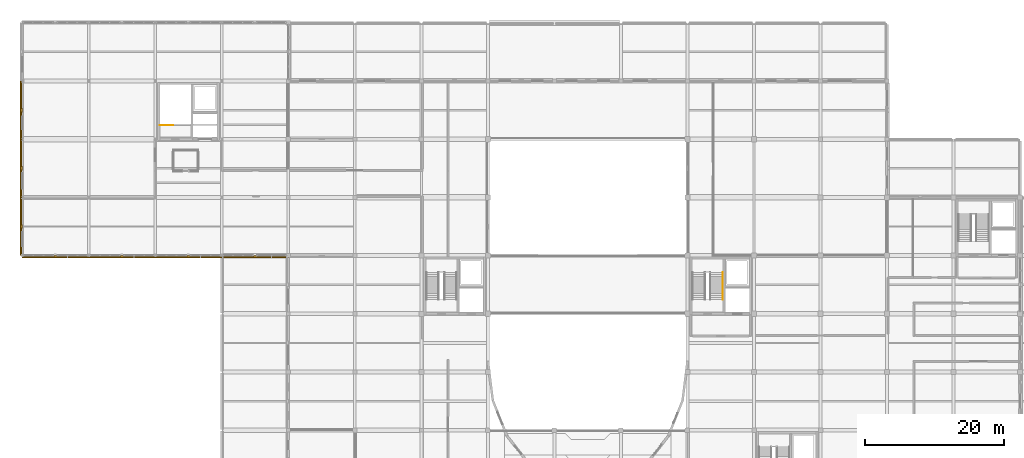
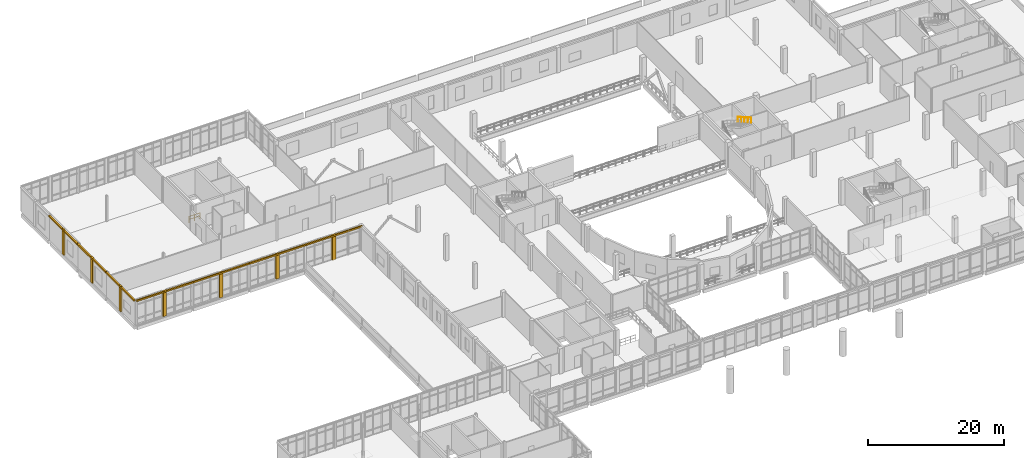
# One storey, part 85 of 88: 14 coverings, 2 railings.
"""IFC4 building model written with IfcOpenShell, lengths in metres."""

from ifc_helpers import new_model, si_unit, direction, frame, origin, origin_2d, place, context, subcontext, project, spatial, polyline, circle, outline, extrude, material, layer, layer_set, type_object, element, save


model = new_model("IFC4")

# Units and contexts
model_context = context("Model", 3, precision=1e-05, world=origin(), true_north=direction((0.0, 1.0)))
body_context = subcontext(model_context, "Body", "Model", "MODEL_VIEW")
ifc_project = project(units=[si_unit("LENGTHUNIT", "METRE"), si_unit("AREAUNIT", "SQUARE_METRE"), si_unit("VOLUMEUNIT", "CUBIC_METRE"), si_unit("PLANEANGLEUNIT", "RADIAN"), si_unit("MASSUNIT", "GRAM", prefix="KILO")], contexts=[model_context])

# Site, building, storey
site_placement = place(None, origin())
site = spatial("IfcSite", under=ifc_project, at=site_placement, CompositionType="ELEMENT")
building_placement = place(site_placement, origin())
building = spatial("IfcBuilding", under=site, at=building_placement, Name="Lornevale Opera House", CompositionType="ELEMENT")
storey_placement = place(building_placement, frame((0.0, 0.0, 10.199951171875)))
storey = spatial("IfcBuildingStorey", under=building, at=storey_placement, Name="L03", CompositionType="ELEMENT", Elevation=10.199951171875)

# Coverings
ifc_material_1 = material(Name="Precast Concrete 40 MPa (CSA A23.1 C-1)", Category="concrete")
ifc_layer_1 = layer(ifc_material_1, 0.260009765625)
ifc_layer_set_1 = layer_set([ifc_layer_1], Name="Precast Concrete 40 MPa (CSA A23.1 C-1)")
covering_type_1 = type_object("IfcCoveringType", Name="Postmodern Sandstone Pilaster Rib", PredefinedType="CLADDING", material=ifc_layer_set_1)
covering_1_placement = place(storey_placement, origin())
element("IfcCovering", 1, at=covering_1_placement, inside=storey, type_object=covering_type_1, Name="Postmodern Sandstone Mullion Pier 0259", PredefinedType="CLADDING", context=body_context, shape_type="SweptSolid", body=[
    extrude(outline(polyline([(5.080078125, 67.199951171875), (4.52001953125, 67.199951171875), (4.52001953125, 66.919921875), (5.080078125, 66.919921875), (5.080078125, 67.199951171875)])), origin(), (0.0, 0.0, 1.0), 4.5400390625),
])
covering_2_placement = place(storey_placement, origin())
element("IfcCovering", 2, at=covering_2_placement, inside=storey, type_object=covering_type_1, Name="Postmodern Sandstone Pilaster 0261", PredefinedType="CLADDING", context=body_context, shape_type="SweptSolid", body=[
    extrude(outline(polyline([(0.0, 71.1201171875), (0.0, 71.679931640625), (-0.280029296875, 71.679931640625), (-0.280029296875, 71.1201171875), (0.0, 71.1201171875)])), origin(), (0.0, 0.0, 1.0), 4.5400390625),
])
covering_3_placement = place(storey_placement, origin())
element("IfcCovering", 3, at=covering_3_placement, inside=storey, type_object=covering_type_1, Name="Postmodern Sandstone Pilaster 0263", PredefinedType="CLADDING", context=body_context, shape_type="SweptSolid", body=[
    extrude(outline(polyline([(0.0, 79.52001953125), (0.0, 80.080078125), (-0.280029296875, 80.080078125), (-0.280029296875, 79.52001953125), (0.0, 79.52001953125)])), origin(), (0.0, 0.0, 1.0), 4.5400390625),
])
covering_4_placement = place(storey_placement, origin())
element("IfcCovering", 4, at=covering_4_placement, inside=storey, type_object=covering_type_1, Name="Postmodern Sandstone Pilaster 0265", PredefinedType="CLADDING", context=body_context, shape_type="SweptSolid", body=[
    extrude(outline(polyline([(0.0, 87.919921875), (0.0, 88.47998046875), (-0.280029296875, 88.47998046875), (-0.280029296875, 87.919921875), (0.0, 87.919921875)])), origin(), (0.0, 0.0, 1.0), 4.5400390625),
])
covering_5_placement = place(storey_placement, origin())
element("IfcCovering", 5, at=covering_5_placement, inside=storey, type_object=covering_type_1, Name="Postmodern Sandstone Mullion Pier 0275", PredefinedType="CLADDING", context=body_context, shape_type="SweptSolid", body=[
    extrude(outline(polyline([(14.679931640625, 67.199951171875), (14.1201171875, 67.199951171875), (14.1201171875, 66.919921875), (14.679931640625, 66.919921875), (14.679931640625, 67.199951171875)])), origin(), (0.0, 0.0, 1.0), 4.5400390625),
])
covering_6_placement = place(storey_placement, origin())
element("IfcCovering", 6, at=covering_6_placement, inside=storey, type_object=covering_type_1, Name="Postmodern Sandstone Mullion Pier 0283", PredefinedType="CLADDING", context=body_context, shape_type="SweptSolid", body=[
    extrude(outline(polyline([(24.280029296875, 67.199951171875), (23.719970703125, 67.199951171875), (23.719970703125, 66.919921875), (24.280029296875, 66.919921875), (24.280029296875, 67.199951171875)])), origin(), (0.0, 0.0, 1.0), 4.5400390625),
])
covering_7_placement = place(storey_placement, origin())
element("IfcCovering", 7, at=covering_7_placement, inside=storey, type_object=covering_type_1, Name="Postmodern Sandstone Mullion Pier 0295", PredefinedType="CLADDING", context=body_context, shape_type="SweptSolid", body=[
    extrude(outline(polyline([(33.8798828125, 67.199951171875), (33.320068359375, 67.199951171875), (33.320068359375, 66.919921875), (33.8798828125, 66.919921875), (33.8798828125, 67.199951171875)])), origin(), (0.0, 0.0, 1.0), 4.5400390625),
])
ifc_material_2 = material(Name="Queenston Buff Limestone Ashlar Masonry (25 MPa)", Category="masonry")
ifc_layer_2 = layer(ifc_material_2, 0.1201171875)
ifc_layer_set_2 = layer_set([ifc_layer_2], Name="Queenston Buff Limestone Ashlar Masonry (25 MPa)")
covering_type_2 = type_object("IfcCoveringType", Name="Precast Limestone Cornice Band", PredefinedType="CLADDING", material=ifc_layer_set_2)
covering_8_placement = place(storey_placement, frame((0.0, 0.0, 4.280029296875)))
element("IfcCovering", 8, at=covering_8_placement, inside=storey, type_object=covering_type_2, Name="Precast Limestone Cornice Band 0260", PredefinedType="CLADDING", context=body_context, shape_type="SweptSolid", body=[
    extrude(outline(polyline([(9.60009765625, 67.1201171875), (0.0, 67.1201171875), (0.0, 66.8798828125), (9.60009765625, 66.8798828125), (9.60009765625, 67.1201171875)])), origin(), (0.0, 0.0, 1.0), 0.260009765625),
])
covering_9_placement = place(storey_placement, frame((0.0, 0.0, 4.260009765625)))
element("IfcCovering", 9, at=covering_9_placement, inside=storey, type_object=covering_type_2, Name="Precast Limestone Cornice Band 0262", PredefinedType="CLADDING", context=body_context, shape_type="SweptSolid", body=[
    extrude(outline(polyline([(-0.06005859375, 67.219970703125), (-0.06005859375, 75.580078125), (-0.320068359375, 75.580078125), (-0.320068359375, 67.219970703125), (-0.06005859375, 67.219970703125)])), origin(), (0.0, 0.0, 1.0), 0.280029296875),
])
covering_10_placement = place(storey_placement, frame((0.0, 0.0, 4.260009765625)))
element("IfcCovering", 10, at=covering_10_placement, inside=storey, type_object=covering_type_2, Name="Precast Limestone Cornice Band 0264", PredefinedType="CLADDING", context=body_context, shape_type="SweptSolid", body=[
    extrude(outline(polyline([(-0.06005859375, 75.6201171875), (-0.06005859375, 83.97998046875), (-0.320068359375, 83.97998046875), (-0.320068359375, 75.6201171875), (-0.06005859375, 75.6201171875)])), origin(), (0.0, 0.0, 1.0), 0.280029296875),
])
covering_11_placement = place(storey_placement, frame((0.0, 0.0, 4.260009765625)))
element("IfcCovering", 11, at=covering_11_placement, inside=storey, type_object=covering_type_2, Name="Precast Limestone Cornice Band 0266", PredefinedType="CLADDING", context=body_context, shape_type="SweptSolid", body=[
    extrude(outline(polyline([(-0.06005859375, 84.02001953125), (-0.06005859375, 92.3798828125), (-0.320068359375, 92.3798828125), (-0.320068359375, 84.02001953125), (-0.06005859375, 84.02001953125)])), origin(), (0.0, 0.0, 1.0), 0.280029296875),
])
covering_12_placement = place(storey_placement, frame((0.0, 0.0, 4.280029296875)))
element("IfcCovering", 12, at=covering_12_placement, inside=storey, type_object=covering_type_2, Name="Precast Limestone Cornice Band 0276", PredefinedType="CLADDING", context=body_context, shape_type="SweptSolid", body=[
    extrude(outline(polyline([(19.199951171875, 67.1201171875), (9.60009765625, 67.1201171875), (9.60009765625, 66.8798828125), (19.199951171875, 66.8798828125), (19.199951171875, 67.1201171875)])), origin(), (0.0, 0.0, 1.0), 0.260009765625),
])
covering_13_placement = place(storey_placement, frame((0.0, 0.0, 4.280029296875)))
element("IfcCovering", 13, at=covering_13_placement, inside=storey, type_object=covering_type_2, Name="Precast Limestone Cornice Band 0284", PredefinedType="CLADDING", context=body_context, shape_type="SweptSolid", body=[
    extrude(outline(polyline([(28.800048828125, 67.1201171875), (19.199951171875, 67.1201171875), (19.199951171875, 66.8798828125), (28.800048828125, 66.8798828125), (28.800048828125, 67.1201171875)])), origin(), (0.0, 0.0, 1.0), 0.260009765625),
])
covering_14_placement = place(storey_placement, frame((0.0, 0.0, 4.280029296875)))
element("IfcCovering", 14, at=covering_14_placement, inside=storey, type_object=covering_type_2, Name="Precast Limestone Cornice Band 0296", PredefinedType="CLADDING", context=body_context, shape_type="SweptSolid", body=[
    extrude(outline(polyline([(38.39990234375, 67.1201171875), (28.800048828125, 67.1201171875), (28.800048828125, 66.8798828125), (38.39990234375, 66.8798828125), (38.39990234375, 67.1201171875)])), origin(), (0.0, 0.0, 1.0), 0.260009765625),
])

# Railings
ifc_material_3 = material(Name="Structural Steel CSA G40.21 Grade 350W (350 MPa)", Category="steel")
ifc_layer_3 = layer(ifc_material_3, 0.050048828125)
ifc_layer_set_3 = layer_set([ifc_layer_3], Name="Structural Steel CSA G40.21 Grade 350W (350 MPa)")
railing_type_1 = type_object("IfcRailingType", Name="Stair Well Guardrail 1100", PredefinedType="GUARDRAIL", material=ifc_layer_set_3)
railing_1_placement = place(storey_placement, frame((19.89990234375, 86.02001953125, 0.0)))
element("IfcRailing", 15, at=railing_1_placement, inside=storey, type_object=railing_type_1, Name="ST-14 Top Floor Well Guard", PredefinedType="GUARDRAIL", context=body_context, shape_type="SweptSolid", body=[
    extrude(circle(Radius=0.02392578125, at=origin_2d()), frame((0.0, 0.0, 1.076171875), z_axis=(1.0, 0.0, 0.0), x_axis=(0.0, 1.0, 0.0)), (0.0, 0.0, 1.0), 1.880126953125),
    extrude(circle(Radius=0.02392578125, at=origin_2d()), frame((0.0, 0.0, 0.550048828125), z_axis=(1.0, 0.0, 0.0), x_axis=(0.0, 1.0, 0.0)), (0.0, 0.0, 1.0), 1.880126953125),
    extrude(circle(Radius=0.02099609375, at=origin_2d()), origin(), (0.0, 0.0, 1.0), 1.052001953125),
    extrude(circle(Radius=0.02099609375, at=origin_2d()), frame((0.93994140625, 0.0, 0.0)), (0.0, 0.0, 1.0), 1.052001953125),
    extrude(circle(Radius=0.02099609375, at=origin_2d()), frame((1.880126953125, 0.0, 0.0)), (0.0, 0.0, 1.0), 1.052001953125),
])
ifc_layer_4 = layer(ifc_material_3, 0.048095703125)
ifc_layer_set_4 = layer_set([ifc_layer_4], Name="Structural Steel CSA G40.21 Grade 350W (350 MPa)")
railing_type_2 = type_object("IfcRailingType", Name="Tubular Stair Handrail 915", PredefinedType="HANDRAIL", material=ifc_layer_set_4)
railing_2_placement = place(storey_placement, frame((101.080078125, 64.780029296875, 2.56298828125)))
element("IfcRailing", 16, at=railing_2_placement, inside=storey, type_object=railing_type_2, Name="ST-24 Outer Handrail F2", PredefinedType="HANDRAIL", context=body_context, shape_type="SweptSolid", body=[
    extrude(circle(Radius=0.02392578125, at=origin_2d()), frame((0.0, 0.0, 0.89111328125), z_axis=(0.0, -0.868239814368, 0.496144761885), x_axis=(1.0, 0.0, 0.0)), (0.0, 0.0, 1.0), 4.514892578125),
    extrude(circle(Radius=0.02099609375, at=origin_2d()), origin(), (0.0, 0.0, 1.0), 0.866943359375),
    extrude(circle(Radius=0.02099609375, at=origin_2d()), frame((0.0, -0.97998046875, 0.56005859375)), (0.0, 0.0, 1.0), 0.866943359375),
    extrude(circle(Radius=0.02099609375, at=origin_2d()), frame((0.0, -1.9599609375, 1.1201171875)), (0.0, 0.0, 1.0), 0.866943359375),
    extrude(circle(Radius=0.02099609375, at=origin_2d()), frame((0.0, -2.93994140625, 1.679931640625)), (0.0, 0.0, 1.0), 0.866943359375),
    extrude(circle(Radius=0.02099609375, at=origin_2d()), frame((0.0, -3.919921875, 2.239990234375)), (0.0, 0.0, 1.0), 0.866943359375),
])

save(model, "model.ifc")
